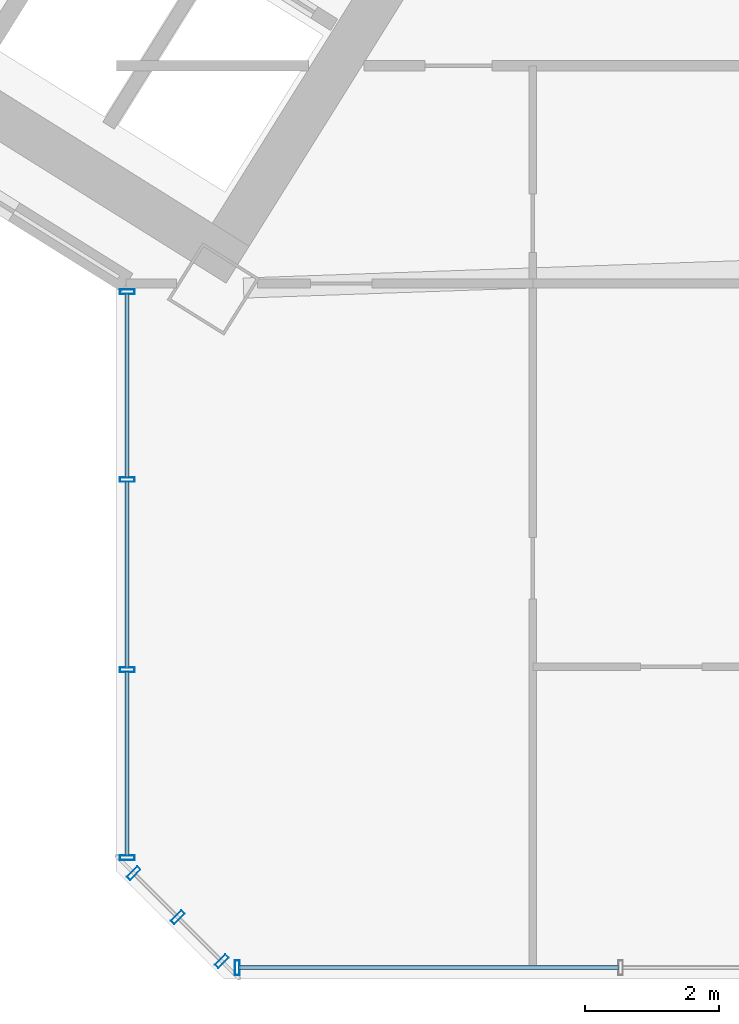
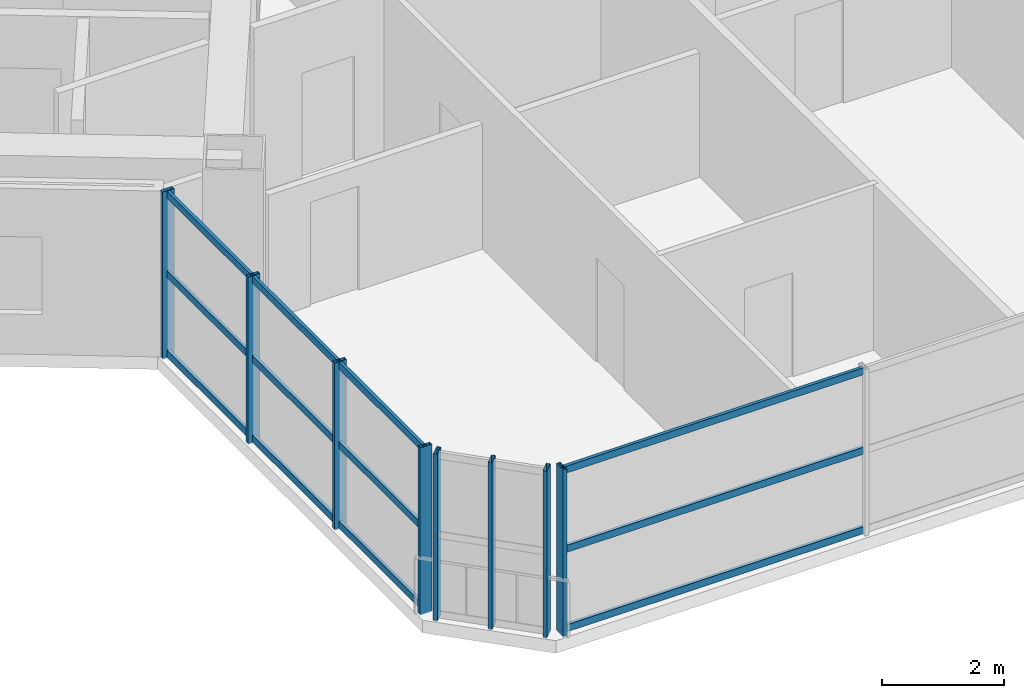
# One storey, part 4 of 21: 20 members, 3 elements without a shape of their own.
"""IFC4 building model written with IfcOpenShell, lengths in metres."""

from ifc_helpers import new_model, si_unit, direction, frame, origin, origin_2d, place, context, subcontext, project, spatial, hollow_rectangle, extrude, source, transform, mapped, material, material_profile, profile_set, type_object, element, aggregate, save


model = new_model("IFC4")

# Units and contexts
model_context = context("Model", 3, precision=1e-05, world=origin(), true_north=direction((0.0, 1.0)))
body_context = subcontext(model_context, "Body", "Model", "MODEL_VIEW")
ifc_project = project(units=[si_unit("LENGTHUNIT", "METRE"), si_unit("AREAUNIT", "SQUARE_METRE"), si_unit("VOLUMEUNIT", "CUBIC_METRE"), si_unit("PLANEANGLEUNIT", "RADIAN"), si_unit("MASSUNIT", "GRAM", prefix="KILO")], contexts=[model_context])

# Site, building, storey
site_placement = place(None, origin())
site = spatial("IfcSite", under=ifc_project, at=site_placement, CompositionType="ELEMENT")
building_placement = place(site_placement, origin())
building = spatial("IfcBuilding", under=site, at=building_placement, Name="Tlacorven Tower", CompositionType="ELEMENT")
storey_placement = place(building_placement, frame((0.0, 0.0, 81.0)))
storey = spatial("IfcBuildingStorey", under=building, at=storey_placement, Name="L20", CompositionType="ELEMENT", Elevation=81.0)

# Curtain wall, members
ifc_material_1 = material(Name="Dark solar low-E double glazing in aluminium frame", Category="aluminium")
curtain_wall_type = type_object("IfcCurtainWallType", Name="CW-TWR-LOW", PredefinedType="USERDEFINED", material=ifc_material_1)
curtain_wall_1_placement = place(storey_placement, origin())
curtain_wall_1 = element("IfcCurtainWall", 1, at=curtain_wall_1_placement, inside=storey, type_object=curtain_wall_type, Name="L20 CW-TWR-LOW Curtain Wall 108", ObjectType="UNITISED CURTAIN WALL", PredefinedType="USERDEFINED")
ifc_material_2 = material(Name="Aluminium 6063-T6 anodised", Category="aluminium")
ifc_material_profile_1 = material_profile(ifc_material_2, hollow_rectangle(XDim=0.06005859375, YDim=0.139892578125, WallThickness=0.00390625, at=origin_2d()), Name="ALU TRANSOM 60X140")
ifc_profile_set_1 = profile_set([ifc_material_profile_1], Name="Aluminium 6063-T6 anodised")
member_type_1 = type_object("IfcMemberType", Name="CWT-02", PredefinedType="USERDEFINED", material=ifc_profile_set_1)
shared_shape_1 = source(origin(), body_context, "Body", "SweptSolid", [
    extrude(hollow_rectangle(XDim=0.06005859375, YDim=0.139892578125, WallThickness=0.00390625, at=origin_2d()), origin(), (0.0, 0.0, 1.0), 5.6748046875),
])
member_1_placement = place(storey_placement, frame((39.09912109375, 1.9599609375, 0.070068359375), z_axis=(-1.0, 0.0, 0.0), x_axis=(0.0, -1.0, 0.0)))
member_1 = element("IfcMember", 2, at=member_1_placement, type_object=member_type_1, Name="CW-L20-108 Transom 7", ObjectType="TRANSOM", PredefinedType="USERDEFINED", context=body_context, shape_type="MappedRepresentation", body=[
    mapped(shared_shape_1, transform((0.0, 0.0, 0.0), scale=1.0)),
])
member_2_placement = place(storey_placement, frame((39.09912109375, 1.9599609375, 1.659912109375), z_axis=(-1.0, 0.0, 0.0), x_axis=(0.0, -1.0, 0.0)))
member_2 = element("IfcMember", 3, at=member_2_placement, type_object=member_type_1, Name="CW-L20-108 Transom 8", ObjectType="TRANSOM", PredefinedType="USERDEFINED", context=body_context, shape_type="MappedRepresentation", body=[
    mapped(shared_shape_1, transform((0.0, 0.0, 0.0), scale=1.0)),
])
member_3_placement = place(storey_placement, frame((39.09912109375, 1.9599609375, 3.25), z_axis=(-1.0, 0.0, 0.0), x_axis=(0.0, -1.0, 0.0)))
member_3 = element("IfcMember", 4, at=member_3_placement, type_object=member_type_1, Name="CW-L20-108 Transom 9", ObjectType="TRANSOM", PredefinedType="USERDEFINED", context=body_context, shape_type="MappedRepresentation", body=[
    mapped(shared_shape_1, transform((0.0, 0.0, 0.0), scale=1.0)),
])

curtain_wall_2_placement = place(storey_placement, origin())
curtain_wall_2 = element("IfcCurtainWall", 5, at=curtain_wall_2_placement, inside=storey, type_object=curtain_wall_type, Name="L20 CW-TWR-LOW Curtain Wall 110", ObjectType="UNITISED CURTAIN WALL", PredefinedType="USERDEFINED")
shared_shape_2 = source(origin(), body_context, "Body", "SweptSolid", [
    extrude(hollow_rectangle(XDim=0.06005859375, YDim=0.139892578125, WallThickness=0.00390625, at=origin_2d()), origin(), (0.0, 0.0, 1.0), 2.7578125),
])
member_4_placement = place(storey_placement, frame((31.760009765625, 3.624267578125, 0.070068359375), z_axis=(0.0, 1.0, 0.0), x_axis=(-1.0, 0.0, 0.0)))
member_4 = element("IfcMember", 6, at=member_4_placement, type_object=member_type_1, Name="CW-L20-110 Transom 1", ObjectType="TRANSOM", PredefinedType="USERDEFINED", context=body_context, shape_type="MappedRepresentation", body=[
    mapped(shared_shape_2, transform((0.0, 0.0, 0.0), scale=1.0)),
])
member_5_placement = place(storey_placement, frame((31.760009765625, 3.624267578125, 1.659912109375), z_axis=(0.0, 1.0, 0.0), x_axis=(-1.0, 0.0, 0.0)))
member_5 = element("IfcMember", 7, at=member_5_placement, type_object=member_type_1, Name="CW-L20-110 Transom 2", ObjectType="TRANSOM", PredefinedType="USERDEFINED", context=body_context, shape_type="MappedRepresentation", body=[
    mapped(shared_shape_2, transform((0.0, 0.0, 0.0), scale=1.0)),
])
member_6_placement = place(storey_placement, frame((31.760009765625, 3.624267578125, 3.25), z_axis=(0.0, 1.0, 0.0), x_axis=(-1.0, 0.0, 0.0)))
member_6 = element("IfcMember", 8, at=member_6_placement, type_object=member_type_1, Name="CW-L20-110 Transom 3", ObjectType="TRANSOM", PredefinedType="USERDEFINED", context=body_context, shape_type="MappedRepresentation", body=[
    mapped(shared_shape_2, transform((0.0, 0.0, 0.0), scale=1.0)),
])
shared_shape_3 = source(origin(), body_context, "Body", "SweptSolid", [
    extrude(hollow_rectangle(XDim=0.06005859375, YDim=0.139892578125, WallThickness=0.00390625, at=origin_2d()), origin(), (0.0, 0.0, 1.0), 2.79296875),
])
member_7_placement = place(storey_placement, frame((31.760009765625, 6.42822265625, 0.070068359375), z_axis=(0.0, 1.0, 0.0), x_axis=(-1.0, 0.0, 0.0)))
member_7 = element("IfcMember", 9, at=member_7_placement, type_object=member_type_1, Name="CW-L20-110 Transom 4", ObjectType="TRANSOM", PredefinedType="USERDEFINED", context=body_context, shape_type="MappedRepresentation", body=[
    mapped(shared_shape_3, transform((0.0, 0.0, 0.0), scale=1.0)),
])
member_8_placement = place(storey_placement, frame((31.760009765625, 6.42822265625, 1.659912109375), z_axis=(0.0, 1.0, 0.0), x_axis=(-1.0, 0.0, 0.0)))
member_8 = element("IfcMember", 10, at=member_8_placement, type_object=member_type_1, Name="CW-L20-110 Transom 5", ObjectType="TRANSOM", PredefinedType="USERDEFINED", context=body_context, shape_type="MappedRepresentation", body=[
    mapped(shared_shape_3, transform((0.0, 0.0, 0.0), scale=1.0)),
])
member_9_placement = place(storey_placement, frame((31.760009765625, 6.42822265625, 3.25), z_axis=(0.0, 1.0, 0.0), x_axis=(-1.0, 0.0, 0.0)))
member_9 = element("IfcMember", 11, at=member_9_placement, type_object=member_type_1, Name="CW-L20-110 Transom 6", ObjectType="TRANSOM", PredefinedType="USERDEFINED", context=body_context, shape_type="MappedRepresentation", body=[
    mapped(shared_shape_3, transform((0.0, 0.0, 0.0), scale=1.0)),
])
shared_shape_4 = source(origin(), body_context, "Body", "SweptSolid", [
    extrude(hollow_rectangle(XDim=0.06005859375, YDim=0.139892578125, WallThickness=0.00390625, at=origin_2d()), origin(), (0.0, 0.0, 1.0), 2.758056640625),
])
member_10_placement = place(storey_placement, frame((31.760009765625, 9.26708984375, 0.070068359375), z_axis=(0.0, 1.0, 0.0), x_axis=(-1.0, 0.0, 0.0)))
member_10 = element("IfcMember", 12, at=member_10_placement, type_object=member_type_1, Name="CW-L20-110 Transom 7", ObjectType="TRANSOM", PredefinedType="USERDEFINED", context=body_context, shape_type="MappedRepresentation", body=[
    mapped(shared_shape_4, transform((0.0, 0.0, 0.0), scale=1.0)),
])
member_11_placement = place(storey_placement, frame((31.760009765625, 9.26708984375, 1.659912109375), z_axis=(0.0, 1.0, 0.0), x_axis=(-1.0, 0.0, 0.0)))
member_11 = element("IfcMember", 13, at=member_11_placement, type_object=member_type_1, Name="CW-L20-110 Transom 8", ObjectType="TRANSOM", PredefinedType="USERDEFINED", context=body_context, shape_type="MappedRepresentation", body=[
    mapped(shared_shape_4, transform((0.0, 0.0, 0.0), scale=1.0)),
])
member_12_placement = place(storey_placement, frame((31.760009765625, 9.26708984375, 3.25), z_axis=(0.0, 1.0, 0.0), x_axis=(-1.0, 0.0, 0.0)))
member_12 = element("IfcMember", 14, at=member_12_placement, type_object=member_type_1, Name="CW-L20-110 Transom 9", ObjectType="TRANSOM", PredefinedType="USERDEFINED", context=body_context, shape_type="MappedRepresentation", body=[
    mapped(shared_shape_4, transform((0.0, 0.0, 0.0), scale=1.0)),
])

# Member
ifc_material_profile_2 = material_profile(ifc_material_2, hollow_rectangle(XDim=0.070068359375, YDim=0.219970703125, WallThickness=0.0048828125, at=origin_2d()), Name="ALU MULLION 70X220")
ifc_profile_set_2 = profile_set([ifc_material_profile_2], Name="Aluminium 6063-T6 anodised")
member_type_2 = type_object("IfcMemberType", Name="CWM-01", PredefinedType="MULLION", material=ifc_profile_set_2)
shared_shape_5 = source(origin(), body_context, "Body", "SweptSolid", [
    extrude(hollow_rectangle(XDim=0.070068359375, YDim=0.219970703125, WallThickness=0.0048828125, at=origin_2d()), origin(), (0.0, 0.0, 1.0), 3.35009765625),
])
member_13_placement = place(storey_placement, frame((33.4013671875, 1.9599609375, -0.02001953125), z_axis=(0.0, 0.0, 1.0), x_axis=(-1.0, 0.0, 0.0)))
member_13 = element("IfcMember", 15, at=member_13_placement, type_object=member_type_2, Name="CW-L20-108 Mullion 4", PredefinedType="MULLION", context=body_context, shape_type="MappedRepresentation", body=[
    mapped(shared_shape_5, transform((0.0, 0.0, 0.0), scale=1.0)),
])

aggregate(curtain_wall_1, [member_13, member_1, member_2, member_3])

# Curtain wall, members
curtain_wall_3_placement = place(storey_placement, origin())
curtain_wall_3 = element("IfcCurtainWall", 16, at=curtain_wall_3_placement, inside=storey, type_object=curtain_wall_type, Name="L20 CW-TWR-LOW Curtain Wall 109", ObjectType="UNITISED CURTAIN WALL", PredefinedType="USERDEFINED")
member_14_placement = place(storey_placement, frame((33.1708984375, 2.055419921875, -0.02001953125), z_axis=(0.0, 0.0, 1.0), x_axis=(-0.707106781187, 0.707106781187, 0.0)))
member_14 = element("IfcMember", 17, at=member_14_placement, type_object=member_type_2, Name="CW-L20-109 Mullion 1", PredefinedType="MULLION", context=body_context, shape_type="MappedRepresentation", body=[
    mapped(shared_shape_5, transform((0.0, 0.0, 0.0), scale=1.0)),
])
member_15_placement = place(storey_placement, frame((32.51318359375, 2.713134765625, -0.02001953125), z_axis=(0.0, 0.0, 1.0), x_axis=(-0.707106781187, 0.707106781187, 0.0)))
member_15 = element("IfcMember", 18, at=member_15_placement, type_object=member_type_2, Name="CW-L20-109 Mullion 2", PredefinedType="MULLION", context=body_context, shape_type="MappedRepresentation", body=[
    mapped(shared_shape_5, transform((0.0, 0.0, 0.0), scale=1.0)),
])
member_16_placement = place(storey_placement, frame((31.85546875, 3.370849609375, -0.02001953125), z_axis=(0.0, 0.0, 1.0), x_axis=(-0.707106781187, 0.707106781187, 0.0)))
member_16 = element("IfcMember", 19, at=member_16_placement, type_object=member_type_2, Name="CW-L20-109 Mullion 3", PredefinedType="MULLION", context=body_context, shape_type="MappedRepresentation", body=[
    mapped(shared_shape_5, transform((0.0, 0.0, 0.0), scale=1.0)),
])
aggregate(curtain_wall_3, [member_14, member_15, member_16])

# Member
member_17_placement = place(storey_placement, frame((31.760009765625, 3.601318359375, -0.02001953125), z_axis=(0.0, 0.0, 1.0), x_axis=(0.0, 1.0, 0.0)))
member_17 = element("IfcMember", 20, at=member_17_placement, type_object=member_type_2, Name="CW-L20-110 Mullion 1", PredefinedType="MULLION", context=body_context, shape_type="MappedRepresentation", body=[
    mapped(shared_shape_5, transform((0.0, 0.0, 0.0), scale=1.0)),
])

member_18_placement = place(storey_placement, frame((31.760009765625, 6.4052734375, -0.02001953125), z_axis=(0.0, 0.0, 1.0), x_axis=(0.0, 1.0, 0.0)))
member_18 = element("IfcMember", 21, at=member_18_placement, type_object=member_type_2, Name="CW-L20-110 Mullion 2", PredefinedType="MULLION", context=body_context, shape_type="MappedRepresentation", body=[
    mapped(shared_shape_5, transform((0.0, 0.0, 0.0), scale=1.0)),
])

member_19_placement = place(storey_placement, frame((31.760009765625, 9.244140625, -0.02001953125), z_axis=(0.0, 0.0, 1.0), x_axis=(0.0, 1.0, 0.0)))
member_19 = element("IfcMember", 22, at=member_19_placement, type_object=member_type_2, Name="CW-L20-110 Mullion 3", PredefinedType="MULLION", context=body_context, shape_type="MappedRepresentation", body=[
    mapped(shared_shape_5, transform((0.0, 0.0, 0.0), scale=1.0)),
])

member_20_placement = place(storey_placement, frame((31.760009765625, 12.048095703125, -0.02001953125), z_axis=(0.0, 0.0, 1.0), x_axis=(0.0, 1.0, 0.0)))
member_20 = element("IfcMember", 23, at=member_20_placement, type_object=member_type_2, Name="CW-L20-110 Mullion 4", PredefinedType="MULLION", context=body_context, shape_type="MappedRepresentation", body=[
    mapped(shared_shape_5, transform((0.0, 0.0, 0.0), scale=1.0)),
])

aggregate(curtain_wall_2, [member_17, member_18, member_19, member_20, member_4, member_5, member_6, member_7, member_8, member_9, member_10, member_11, member_12])

save(model, "model.ifc")
